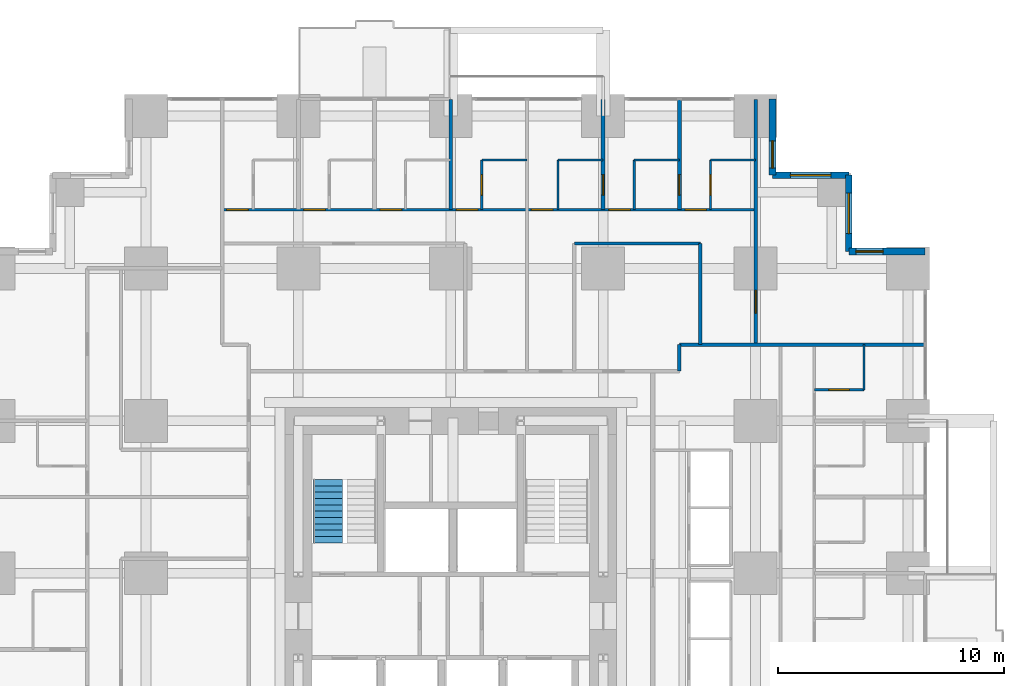
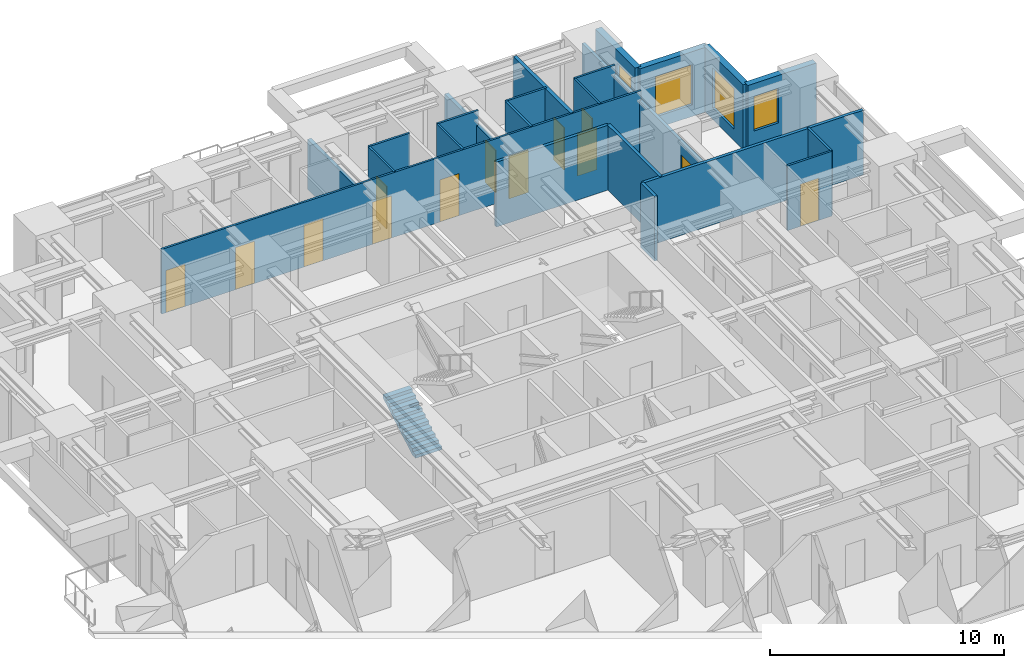
# One storey, part 13 of 15: 23 walls, 13 doors, 4 windows, 1 stair flight, 17 openings, 1 element without a shape of its own.
"""IFC4 building model written with IfcOpenShell, lengths in metres."""

from ifc_helpers import new_model, si_unit, direction, frame, frame_2d, origin, place, context, subcontext, project, spatial, polyline, rectangle, outline, extrude, material, layer, layer_set, type_object, element, fill, aggregate, save


model = new_model("IFC4")

# Units and contexts
model_context = context("Model", 3, precision=1e-05, world=origin(), true_north=direction((0.0, 1.0)))
body_context = subcontext(model_context, "Body", "Model", "MODEL_VIEW")
ifc_project = project(units=[si_unit("LENGTHUNIT", "METRE"), si_unit("AREAUNIT", "SQUARE_METRE"), si_unit("VOLUMEUNIT", "CUBIC_METRE"), si_unit("PLANEANGLEUNIT", "RADIAN"), si_unit("MASSUNIT", "GRAM", prefix="KILO")], contexts=[model_context])

# Site, building, storey
site_placement = place(None, origin())
site = spatial("IfcSite", under=ifc_project, at=site_placement, CompositionType="ELEMENT")
building_placement = place(site_placement, origin())
building = spatial("IfcBuilding", under=site, at=building_placement, Name="Nyansa Garden Tower", CompositionType="ELEMENT")
storey_placement = place(building_placement, frame((0.0, 0.0, 32.39990234375)))
storey = spatial("IfcBuildingStorey", under=building, at=storey_placement, Name="L08", CompositionType="ELEMENT", Elevation=32.39990234375)

# Wall
ifc_material_1 = material(Name="Dense blockwork, plastered both sides, 55 dB", Category="masonry")
ifc_layer_1 = layer(ifc_material_1, 0.175048828125)
ifc_layer_set_1 = layer_set([ifc_layer_1], Name="Acoustic party wall PW175")
wall_type_1 = type_object("IfcWallType", Name="Acoustic party wall PW175", PredefinedType="PARTITIONING", material=ifc_layer_set_1)
wall_1_placement = place(storey_placement, frame((20.25, 36.35009765625, 0.0), z_axis=(0.0, 0.0, 1.0), x_axis=(0.0, 1.0, 0.0)))
element("IfcWall", 1, at=wall_1_placement, inside=storey, type_object=wall_type_1, Name="Party wall", PredefinedType="PARTITIONING", context=body_context, shape_type="SweptSolid", body=[
    extrude(rectangle(XDim=4.8837890625, YDim=0.175048828125, at=frame_2d((2.44189453125, 0.0))), origin(), (0.0, 0.0, 1.0), 2.610107421875),
])

# Wall, opening, door
wall_2_placement = place(storey_placement, frame((27.0, 36.35009765625, 0.0), z_axis=(0.0, 0.0, 1.0), x_axis=(0.0, 1.0, 0.0)))
wall_2 = element("IfcWall", 2, at=wall_2_placement, inside=storey, type_object=wall_type_1, Name="Party wall", PredefinedType="PARTITIONING", context=body_context, shape_type="SweptSolid", body=[
    extrude(rectangle(XDim=4.8837890625, YDim=0.175048828125, at=frame_2d((2.44189453125, 0.0))), origin(), (0.0, 0.0, 1.0), 2.610107421875),
])
opening_1_placement = place(wall_2_placement, frame((0.64990234375, 0.0, 0.0)))
opening_1 = element("IfcOpeningElement", 3, at=opening_1_placement, cuts=wall_2, Name="Opening D02", PredefinedType="OPENING", context=body_context, shape_type="SweptSolid", body=[
    extrude(rectangle(XDim=0.89990234375, YDim=2.199951171875, at=frame_2d((0.449951171875, 1.10009765625))), frame((0.0, 0.097412109375, 0.0), z_axis=(0.0, -1.0, 0.0), x_axis=(1.0, 0.0, 0.0)), (0.0, 0.0, 1.0), 0.195068359375),
])
ifc_material_2 = material(Name="Timber flush door", Category="wood")
door_type_1 = type_object("IfcDoorType", Name="En-suite door D02 900x2200", OperationType="SINGLE_SWING_RIGHT", PredefinedType="DOOR", material=ifc_material_2)
door_1_placement = place(opening_1_placement, origin())
door_1 = element("IfcDoor", 4, at=door_1_placement, inside=storey, type_object=door_type_1, Name="Door L08-055", OperationType="SINGLE_SWING_RIGHT", OverallHeight=2.199951171875, OverallWidth=0.89990234375, PredefinedType="DOOR", context=body_context, shape_type="SweptSolid", body=[
    extrude(rectangle(XDim=0.89990234375, YDim=2.199951171875, at=frame_2d((0.449951171875, 1.10009765625))), frame((0.0, 0.02490234375, 0.0), z_axis=(0.0, -1.0, 0.0), x_axis=(1.0, 0.0, 0.0)), (0.0, 0.0, 1.0), 0.050048828125),
])
fill(opening_1, door_1)

wall_3_placement = place(storey_placement, frame((30.375, 36.35009765625, 0.0), z_axis=(0.0, 0.0, 1.0), x_axis=(0.0, 1.0, 0.0)))
wall_3 = element("IfcWall", 5, at=wall_3_placement, inside=storey, type_object=wall_type_1, Name="Party wall", PredefinedType="PARTITIONING", context=body_context, shape_type="SweptSolid", body=[
    extrude(rectangle(XDim=4.8837890625, YDim=0.175048828125, at=frame_2d((2.44189453125, 0.0))), origin(), (0.0, 0.0, 1.0), 3.375),
])
opening_2_placement = place(wall_3_placement, frame((0.64990234375, 0.0, 0.0)))
opening_2 = element("IfcOpeningElement", 6, at=opening_2_placement, cuts=wall_3, Name="Opening D02", PredefinedType="OPENING", context=body_context, shape_type="SweptSolid", body=[
    extrude(rectangle(XDim=0.89990234375, YDim=2.199951171875, at=frame_2d((0.449951171875, 1.10009765625))), frame((0.0, 0.097412109375, 0.0), z_axis=(0.0, -1.0, 0.0), x_axis=(1.0, 0.0, 0.0)), (0.0, 0.0, 1.0), 0.195068359375),
])
door_2_placement = place(opening_2_placement, origin())
door_2 = element("IfcDoor", 7, at=door_2_placement, inside=storey, type_object=door_type_1, Name="Door L08-053", OperationType="SINGLE_SWING_RIGHT", OverallHeight=2.199951171875, OverallWidth=0.89990234375, PredefinedType="DOOR", context=body_context, shape_type="SweptSolid", body=[
    extrude(rectangle(XDim=0.89990234375, YDim=2.199951171875, at=frame_2d((0.449951171875, 1.10009765625))), frame((0.0, 0.02490234375, 0.0), z_axis=(0.0, -1.0, 0.0), x_axis=(1.0, 0.0, 0.0)), (0.0, 0.0, 1.0), 0.050048828125),
])
fill(opening_2, door_2)

# Walls
ifc_material_3 = material(Name="Blockwork, plastered both sides", Category="masonry")
ifc_layer_2 = layer(ifc_material_3, 0.14990234375)
ifc_layer_set_2 = layer_set([ifc_layer_2], Name="Partition PW150")
wall_type_2 = type_object("IfcWallType", Name="Partition PW150", PredefinedType="PARTITIONING", material=ifc_layer_set_2)
wall_4_placement = place(storey_placement, frame((25.72509765625, 34.85009765625, 0.0), z_axis=(0.0, 0.0, 1.0), x_axis=(1.0, 0.0, 0.0)))
element("IfcWall", 8, at=wall_4_placement, inside=storey, type_object=wall_type_2, Name="Partition", PredefinedType="PARTITIONING", context=body_context, shape_type="SweptSolid", body=[
    extrude(rectangle(XDim=5.574951171875, YDim=0.14990234375, at=frame_2d((2.78759765625, 0.0))), origin(), (0.0, 0.0, 1.0), 3.375),
])
wall_5_placement = place(storey_placement, frame((30.375, 29.199951171875, 0.0), z_axis=(0.0, 0.0, 1.0), x_axis=(0.0, 1.0, 0.0)))
element("IfcWall", 9, at=wall_5_placement, inside=storey, type_object=wall_type_2, Name="Partition", PredefinedType="PARTITIONING", context=body_context, shape_type="SweptSolid", body=[
    extrude(rectangle(XDim=1.175048828125, YDim=0.14990234375, at=frame_2d((0.58740234375, 0.0))), origin(), (0.0, 0.0, 1.0), 3.375),
])
wall_6_placement = place(storey_placement, frame((30.375, 30.375, 0.0), z_axis=(0.0, 0.0, 1.0), x_axis=(1.0, 0.0, 0.0)))
element("IfcWall", 10, at=wall_6_placement, inside=storey, type_object=wall_type_2, Name="Partition", PredefinedType="PARTITIONING", context=body_context, shape_type="SweptSolid", body=[
    extrude(rectangle(XDim=10.85888671875, YDim=0.14990234375, at=frame_2d((5.429443359375, 0.0))), origin(), (0.0, 0.0, 1.0), 3.375),
])
wall_7_placement = place(storey_placement, frame((31.300048828125, 30.375, 0.0), z_axis=(0.0, 0.0, 1.0), x_axis=(0.0, 1.0, 0.0)))
element("IfcWall", 11, at=wall_7_placement, inside=storey, type_object=wall_type_2, Name="Partition", PredefinedType="PARTITIONING", context=body_context, shape_type="SweptSolid", body=[
    extrude(rectangle(XDim=4.47509765625, YDim=0.14990234375, at=frame_2d((2.237548828125, 0.0))), origin(), (0.0, 0.0, 1.0), 3.375),
])

# Wall, opening, door
wall_8_placement = place(storey_placement, frame((33.75, 30.375, 0.0), z_axis=(0.0, 0.0, 1.0), x_axis=(0.0, 1.0, 0.0)))
wall_8 = element("IfcWall", 12, at=wall_8_placement, inside=storey, type_object=wall_type_2, Name="Partition", PredefinedType="PARTITIONING", context=body_context, shape_type="SweptSolid", body=[
    extrude(rectangle(XDim=10.85888671875, YDim=0.14990234375, at=frame_2d((5.429443359375, 0.0))), origin(), (0.0, 0.0, 1.0), 2.877197265625),
])
opening_3_placement = place(wall_8_placement, frame((1.39990234375, 0.0, 0.0)))
opening_3 = element("IfcOpeningElement", 13, at=opening_3_placement, cuts=wall_8, Name="Opening D03", PredefinedType="OPENING", context=body_context, shape_type="SweptSolid", body=[
    extrude(rectangle(XDim=1.0, YDim=2.199951171875, at=frame_2d((0.5, 1.10009765625))), frame((0.0, 0.0849609375, 0.0), z_axis=(0.0, -1.0, 0.0), x_axis=(1.0, 0.0, 0.0)), (0.0, 0.0, 1.0), 0.169921875),
])
ifc_material_4 = material(Name="Timber flush door, 60 minute fire resisting", Category="wood")
door_type_2 = type_object("IfcDoorType", Name="Cluster entrance door D03 1000x2200", OperationType="SINGLE_SWING_LEFT", PredefinedType="DOOR", material=ifc_material_4)
door_3_placement = place(opening_3_placement, origin())
door_3 = element("IfcDoor", 14, at=door_3_placement, inside=storey, type_object=door_type_2, Name="Door L08-049", OperationType="SINGLE_SWING_LEFT", OverallHeight=2.199951171875, OverallWidth=1.0, PredefinedType="DOOR", context=body_context, shape_type="SweptSolid", body=[
    extrude(rectangle(XDim=1.0, YDim=2.199951171875, at=frame_2d((0.5, 1.10009765625))), frame((0.0, 0.02490234375, 0.0), z_axis=(0.0, -1.0, 0.0), x_axis=(1.0, 0.0, 0.0)), (0.0, 0.0, 1.0), 0.050048828125),
])
fill(opening_3, door_3)

# Wall, opening, window
ifc_material_5 = material(Name="Turquoise glazed tile on concrete blockwork", Category="masonry")
ifc_layer_3 = layer(ifc_material_5, 0.300048828125)
ifc_layer_set_3 = layer_set([ifc_layer_3], Name="Tiled corner wall TW300")
wall_type_3 = type_object("IfcWallType", Name="Tiled corner wall TW300", PredefinedType="SOLIDWALL", material=ifc_layer_set_3)
wall_9_placement = place(storey_placement, frame((41.25, 34.5, 0.0), z_axis=(0.0, 0.0, 1.0), x_axis=(-1.0, 0.0, 0.0)))
wall_9 = element("IfcWall", 15, at=wall_9_placement, inside=storey, type_object=wall_type_3, Name="Tiled corner wall L08", PredefinedType="SOLIDWALL", context=body_context, shape_type="SweptSolid", body=[
    extrude(rectangle(XDim=3.375, YDim=0.300048828125, at=frame_2d((1.6875, 0.0))), origin(), (0.0, 0.0, 1.0), 3.375),
])
opening_4_placement = place(wall_9_placement, frame((1.857421875, 0.0, 0.89990234375)))
opening_4 = element("IfcOpeningElement", 16, at=opening_4_placement, cuts=wall_9, Name="Opening W4", PredefinedType="OPENING", context=body_context, shape_type="SweptSolid", body=[
    extrude(rectangle(XDim=1.199951171875, YDim=1.800048828125, at=frame_2d((0.60009765625, 0.89990234375))), frame((0.0, 0.159912109375, 0.0), z_axis=(0.0, -1.0, 0.0), x_axis=(1.0, 0.0, 0.0)), (0.0, 0.0, 1.0), 0.320068359375),
])
ifc_material_6 = material(Name="Black aluminium frame, dark tinted double glazing", Category="aluminium")
window_type_1 = type_object("IfcWindowType", Name="Window W4 1200x1800", PartitioningType="SINGLE_PANEL", PredefinedType="WINDOW", material=ifc_material_6)
window_1_placement = place(opening_4_placement, origin())
window_1 = element("IfcWindow", 17, at=window_1_placement, inside=storey, type_object=window_type_1, Name="Corner window L08", OverallHeight=1.800048828125, OverallWidth=1.199951171875, PartitioningType="SINGLE_PANEL", PredefinedType="WINDOW", context=body_context, shape_type="SweptSolid", body=[
    extrude(rectangle(XDim=1.199951171875, YDim=1.800048828125, at=frame_2d((0.60009765625, 0.89990234375))), frame((0.0, 0.030029296875, 0.0), z_axis=(0.0, -1.0, 0.0), x_axis=(1.0, 0.0, 0.0)), (0.0, 0.0, 1.0), 0.06005859375),
])
fill(opening_4, window_1)

wall_10_placement = place(storey_placement, frame((37.875, 34.5, 0.0), z_axis=(0.0, 0.0, 1.0), x_axis=(0.0, 1.0, 0.0)))
wall_10 = element("IfcWall", 18, at=wall_10_placement, inside=storey, type_object=wall_type_3, Name="Tiled corner wall L08", PredefinedType="SOLIDWALL", context=body_context, shape_type="SweptSolid", body=[
    extrude(rectangle(XDim=3.375, YDim=0.300048828125, at=frame_2d((1.6875, 0.0))), origin(), (0.0, 0.0, 1.0), 3.375),
])
opening_5_placement = place(wall_10_placement, frame((0.78759765625, 0.0, 0.60009765625)))
opening_5 = element("IfcOpeningElement", 19, at=opening_5_placement, cuts=wall_10, Name="Opening W2", PredefinedType="OPENING", context=body_context, shape_type="SweptSolid", body=[
    extrude(rectangle(XDim=1.800048828125, YDim=2.10009765625, at=frame_2d((0.89990234375, 1.050048828125))), frame((0.0, 0.159912109375, 0.0), z_axis=(0.0, -1.0, 0.0), x_axis=(1.0, 0.0, 0.0)), (0.0, 0.0, 1.0), 0.320068359375),
])
ifc_material_7 = material(Name="Black aluminium frame, dark tinted double glazing", Category="aluminium")
window_type_2 = type_object("IfcWindowType", Name="Window W2 1800x2100", PartitioningType="SINGLE_PANEL", PredefinedType="WINDOW", material=ifc_material_7)
window_2_placement = place(opening_5_placement, origin())
window_2 = element("IfcWindow", 20, at=window_2_placement, inside=storey, type_object=window_type_2, Name="Corner window L08", OverallHeight=2.10009765625, OverallWidth=1.800048828125, PartitioningType="SINGLE_PANEL", PredefinedType="WINDOW", context=body_context, shape_type="SweptSolid", body=[
    extrude(rectangle(XDim=1.800048828125, YDim=2.10009765625, at=frame_2d((0.89990234375, 1.050048828125))), frame((0.0, 0.030029296875, 0.0), z_axis=(0.0, -1.0, 0.0), x_axis=(1.0, 0.0, 0.0)), (0.0, 0.0, 1.0), 0.06005859375),
])
fill(opening_5, window_2)

wall_11_placement = place(storey_placement, frame((37.875, 37.875, 0.0), z_axis=(0.0, 0.0, 1.0), x_axis=(-1.0, 0.0, 0.0)))
wall_11 = element("IfcWall", 21, at=wall_11_placement, inside=storey, type_object=wall_type_3, Name="Tiled corner wall L08", PredefinedType="SOLIDWALL", context=body_context, shape_type="SweptSolid", body=[
    extrude(rectangle(XDim=3.375, YDim=0.300048828125, at=frame_2d((1.6875, 0.0))), origin(), (0.0, 0.0, 1.0), 3.375),
])
opening_6_placement = place(wall_11_placement, frame((0.78759765625, 0.0, 0.60009765625)))
opening_6 = element("IfcOpeningElement", 22, at=opening_6_placement, cuts=wall_11, Name="Opening W2", PredefinedType="OPENING", context=body_context, shape_type="SweptSolid", body=[
    extrude(rectangle(XDim=1.800048828125, YDim=2.10009765625, at=frame_2d((0.89990234375, 1.050048828125))), frame((0.0, 0.159912109375, 0.0), z_axis=(0.0, -1.0, 0.0), x_axis=(1.0, 0.0, 0.0)), (0.0, 0.0, 1.0), 0.320068359375),
])
window_3_placement = place(opening_6_placement, origin())
window_3 = element("IfcWindow", 23, at=window_3_placement, inside=storey, type_object=window_type_2, Name="Corner window L08", OverallHeight=2.10009765625, OverallWidth=1.800048828125, PartitioningType="SINGLE_PANEL", PredefinedType="WINDOW", context=body_context, shape_type="SweptSolid", body=[
    extrude(rectangle(XDim=1.800048828125, YDim=2.10009765625, at=frame_2d((0.89990234375, 1.050048828125))), frame((0.0, 0.030029296875, 0.0), z_axis=(0.0, -1.0, 0.0), x_axis=(1.0, 0.0, 0.0)), (0.0, 0.0, 1.0), 0.06005859375),
])
fill(opening_6, window_3)

wall_12_placement = place(storey_placement, frame((34.5, 37.875, 0.0), z_axis=(0.0, 0.0, 1.0), x_axis=(0.0, 1.0, 0.0)))
wall_12 = element("IfcWall", 24, at=wall_12_placement, inside=storey, type_object=wall_type_3, Name="Tiled corner wall L08", PredefinedType="SOLIDWALL", context=body_context, shape_type="SweptSolid", body=[
    extrude(rectangle(XDim=3.375, YDim=0.300048828125, at=frame_2d((1.6875, 0.0))), origin(), (0.0, 0.0, 1.0), 3.375),
])
opening_7_placement = place(wall_12_placement, frame((0.3173828125, 0.0, 0.89990234375)))
opening_7 = element("IfcOpeningElement", 25, at=opening_7_placement, cuts=wall_12, Name="Opening W4", PredefinedType="OPENING", context=body_context, shape_type="SweptSolid", body=[
    extrude(rectangle(XDim=1.199951171875, YDim=1.800048828125, at=frame_2d((0.60009765625, 0.89990234375))), frame((0.0, 0.159912109375, 0.0), z_axis=(0.0, -1.0, 0.0), x_axis=(1.0, 0.0, 0.0)), (0.0, 0.0, 1.0), 0.320068359375),
])
window_4_placement = place(opening_7_placement, origin())
window_4 = element("IfcWindow", 26, at=window_4_placement, inside=storey, type_object=window_type_1, Name="Corner window L08", OverallHeight=1.800048828125, OverallWidth=1.199951171875, PartitioningType="SINGLE_PANEL", PredefinedType="WINDOW", context=body_context, shape_type="SweptSolid", body=[
    extrude(rectangle(XDim=1.199951171875, YDim=1.800048828125, at=frame_2d((0.60009765625, 0.89990234375))), frame((0.0, 0.030029296875, 0.0), z_axis=(0.0, -1.0, 0.0), x_axis=(1.0, 0.0, 0.0)), (0.0, 0.0, 1.0), 0.06005859375),
])
fill(opening_7, window_4)

# Wall, openings, doors
ifc_material_8 = material(Name="Moisture resistant board on steel studs, tiled", Category="steel")
ifc_layer_4 = layer(ifc_material_8, 0.10009765625)
ifc_layer_set_4 = layer_set([ifc_layer_4], Name="Wet wall PW100")
wall_type_4 = type_object("IfcWallType", Name="Wet wall PW100", PredefinedType="PARTITIONING", material=ifc_layer_set_4)
wall_13_placement = place(storey_placement, frame((10.125, 36.35009765625, 0.0), z_axis=(0.0, 0.0, 1.0), x_axis=(1.0, 0.0, 0.0)))
wall_13 = element("IfcWall", 27, at=wall_13_placement, inside=storey, type_object=wall_type_4, Name="Wet wall", PredefinedType="PARTITIONING", context=body_context, shape_type="SweptSolid", body=[
    extrude(rectangle(XDim=23.625, YDim=0.10009765625, at=frame_2d((11.8125, 0.0))), origin(), (0.0, 0.0, 1.0), 3.375),
])
opening_8_placement = place(wall_13_placement, frame((20.5, 0.0, 0.0)))
opening_8 = element("IfcOpeningElement", 28, at=opening_8_placement, cuts=wall_13, Name="Opening D01", PredefinedType="OPENING", context=body_context, shape_type="SweptSolid", body=[
    extrude(rectangle(XDim=0.949951171875, YDim=2.199951171875, at=frame_2d((0.47509765625, 1.10009765625))), frame((0.0, 0.06005859375, 0.0), z_axis=(0.0, -1.0, 0.0), x_axis=(1.0, 0.0, 0.0)), (0.0, 0.0, 1.0), 0.1201171875),
])
opening_9_placement = place(wall_13_placement, frame((17.125, 0.0, 0.0)))
opening_9 = element("IfcOpeningElement", 29, at=opening_9_placement, cuts=wall_13, Name="Opening D01", PredefinedType="OPENING", context=body_context, shape_type="SweptSolid", body=[
    extrude(rectangle(XDim=0.949951171875, YDim=2.199951171875, at=frame_2d((0.47509765625, 1.10009765625))), frame((0.0, 0.06005859375, 0.0), z_axis=(0.0, -1.0, 0.0), x_axis=(1.0, 0.0, 0.0)), (0.0, 0.0, 1.0), 0.1201171875),
])
opening_10_placement = place(wall_13_placement, frame((13.699951171875, 0.0, 0.0)))
opening_10 = element("IfcOpeningElement", 30, at=opening_10_placement, cuts=wall_13, Name="Opening D01", PredefinedType="OPENING", context=body_context, shape_type="SweptSolid", body=[
    extrude(rectangle(XDim=0.949951171875, YDim=2.199951171875, at=frame_2d((0.47509765625, 1.10009765625))), frame((0.0, 0.06005859375, 0.0), z_axis=(0.0, -1.0, 0.0), x_axis=(1.0, 0.0, 0.0)), (0.0, 0.0, 1.0), 0.1201171875),
])
opening_11_placement = place(wall_13_placement, frame((0.199951171875, 0.0, 0.0)))
opening_11 = element("IfcOpeningElement", 31, at=opening_11_placement, cuts=wall_13, Name="Opening D14", PredefinedType="OPENING", context=body_context, shape_type="SweptSolid", body=[
    extrude(rectangle(XDim=0.949951171875, YDim=2.199951171875, at=frame_2d((0.47509765625, 1.10009765625))), frame((0.0, 0.06005859375, 0.0), z_axis=(0.0, -1.0, 0.0), x_axis=(1.0, 0.0, 0.0)), (0.0, 0.0, 1.0), 0.1201171875),
])
opening_12_placement = place(wall_13_placement, frame((3.625, 0.0, 0.0)))
opening_12 = element("IfcOpeningElement", 32, at=opening_12_placement, cuts=wall_13, Name="Opening D14", PredefinedType="OPENING", context=body_context, shape_type="SweptSolid", body=[
    extrude(rectangle(XDim=0.949951171875, YDim=2.199951171875, at=frame_2d((0.47509765625, 1.10009765625))), frame((0.0, 0.06005859375, 0.0), z_axis=(0.0, -1.0, 0.0), x_axis=(1.0, 0.0, 0.0)), (0.0, 0.0, 1.0), 0.1201171875),
])
opening_13_placement = place(wall_13_placement, frame((7.0, 0.0, 0.0)))
opening_13 = element("IfcOpeningElement", 33, at=opening_13_placement, cuts=wall_13, Name="Opening D14", PredefinedType="OPENING", context=body_context, shape_type="SweptSolid", body=[
    extrude(rectangle(XDim=0.949951171875, YDim=2.199951171875, at=frame_2d((0.47509765625, 1.10009765625))), frame((0.0, 0.06005859375, 0.0), z_axis=(0.0, -1.0, 0.0), x_axis=(1.0, 0.0, 0.0)), (0.0, 0.0, 1.0), 0.1201171875),
])
opening_14_placement = place(wall_13_placement, frame((10.375, 0.0, 0.0)))
opening_14 = element("IfcOpeningElement", 34, at=opening_14_placement, cuts=wall_13, Name="Opening D14", PredefinedType="OPENING", context=body_context, shape_type="SweptSolid", body=[
    extrude(rectangle(XDim=0.949951171875, YDim=2.199951171875, at=frame_2d((0.47509765625, 1.10009765625))), frame((0.0, 0.06005859375, 0.0), z_axis=(0.0, -1.0, 0.0), x_axis=(1.0, 0.0, 0.0)), (0.0, 0.0, 1.0), 0.1201171875),
])
ifc_material_9 = material(Name="Timber flush door, 30 minute fire resisting", Category="wood")
door_type_3 = type_object("IfcDoorType", Name="Bedroom door D01 950x2200", OperationType="SINGLE_SWING_LEFT", PredefinedType="DOOR", material=ifc_material_9)
door_4_placement = place(opening_8_placement, origin())
door_4 = element("IfcDoor", 35, at=door_4_placement, inside=storey, type_object=door_type_3, Name="Door L08-050", OperationType="SINGLE_SWING_LEFT", OverallHeight=2.199951171875, OverallWidth=0.949951171875, PredefinedType="DOOR", context=body_context, shape_type="SweptSolid", body=[
    extrude(rectangle(XDim=0.949951171875, YDim=2.199951171875, at=frame_2d((0.47509765625, 1.10009765625))), frame((0.0, 0.02490234375, 0.0), z_axis=(0.0, -1.0, 0.0), x_axis=(1.0, 0.0, 0.0)), (0.0, 0.0, 1.0), 0.050048828125),
])
fill(opening_8, door_4)
door_5_placement = place(opening_9_placement, origin())
door_5 = element("IfcDoor", 36, at=door_5_placement, inside=storey, type_object=door_type_3, Name="Door L08-052", OperationType="SINGLE_SWING_LEFT", OverallHeight=2.199951171875, OverallWidth=0.949951171875, PredefinedType="DOOR", context=body_context, shape_type="SweptSolid", body=[
    extrude(rectangle(XDim=0.949951171875, YDim=2.199951171875, at=frame_2d((0.47509765625, 1.10009765625))), frame((0.0, 0.02490234375, 0.0), z_axis=(0.0, -1.0, 0.0), x_axis=(1.0, 0.0, 0.0)), (0.0, 0.0, 1.0), 0.050048828125),
])
fill(opening_9, door_5)
door_6_placement = place(opening_10_placement, origin())
door_6 = element("IfcDoor", 37, at=door_6_placement, inside=storey, type_object=door_type_3, Name="Door L08-054", OperationType="SINGLE_SWING_LEFT", OverallHeight=2.199951171875, OverallWidth=0.949951171875, PredefinedType="DOOR", context=body_context, shape_type="SweptSolid", body=[
    extrude(rectangle(XDim=0.949951171875, YDim=2.199951171875, at=frame_2d((0.47509765625, 1.10009765625))), frame((0.0, 0.02490234375, 0.0), z_axis=(0.0, -1.0, 0.0), x_axis=(1.0, 0.0, 0.0)), (0.0, 0.0, 1.0), 0.050048828125),
])
fill(opening_10, door_6)
ifc_material_10 = material(Name="Timber flush door, 60 minute fire resisting, self-closing", Category="wood")
door_type_4 = type_object("IfcDoorType", Name="Studio entrance door D14 950x2200", OperationType="SINGLE_SWING_LEFT", PredefinedType="DOOR", material=ifc_material_10)
door_7_placement = place(opening_11_placement, origin())
door_7 = element("IfcDoor", 38, at=door_7_placement, inside=storey, type_object=door_type_4, Name="Door L08-057", OperationType="SINGLE_SWING_LEFT", OverallHeight=2.199951171875, OverallWidth=0.949951171875, PredefinedType="DOOR", context=body_context, shape_type="SweptSolid", body=[
    extrude(rectangle(XDim=0.949951171875, YDim=2.199951171875, at=frame_2d((0.47509765625, 1.10009765625))), frame((0.0, 0.02490234375, 0.0), z_axis=(0.0, -1.0, 0.0), x_axis=(1.0, 0.0, 0.0)), (0.0, 0.0, 1.0), 0.050048828125),
])
fill(opening_11, door_7)
door_8_placement = place(opening_12_placement, origin())
door_8 = element("IfcDoor", 39, at=door_8_placement, inside=storey, type_object=door_type_4, Name="Door L08-059", OperationType="SINGLE_SWING_LEFT", OverallHeight=2.199951171875, OverallWidth=0.949951171875, PredefinedType="DOOR", context=body_context, shape_type="SweptSolid", body=[
    extrude(rectangle(XDim=0.949951171875, YDim=2.199951171875, at=frame_2d((0.47509765625, 1.10009765625))), frame((0.0, 0.02490234375, 0.0), z_axis=(0.0, -1.0, 0.0), x_axis=(1.0, 0.0, 0.0)), (0.0, 0.0, 1.0), 0.050048828125),
])
fill(opening_12, door_8)
door_9_placement = place(opening_13_placement, origin())
door_9 = element("IfcDoor", 40, at=door_9_placement, inside=storey, type_object=door_type_4, Name="Door L08-061", OperationType="SINGLE_SWING_LEFT", OverallHeight=2.199951171875, OverallWidth=0.949951171875, PredefinedType="DOOR", context=body_context, shape_type="SweptSolid", body=[
    extrude(rectangle(XDim=0.949951171875, YDim=2.199951171875, at=frame_2d((0.47509765625, 1.10009765625))), frame((0.0, 0.02490234375, 0.0), z_axis=(0.0, -1.0, 0.0), x_axis=(1.0, 0.0, 0.0)), (0.0, 0.0, 1.0), 0.050048828125),
])
fill(opening_13, door_9)
door_10_placement = place(opening_14_placement, origin())
door_10 = element("IfcDoor", 41, at=door_10_placement, inside=storey, type_object=door_type_4, Name="Door L08-063", OperationType="SINGLE_SWING_LEFT", OverallHeight=2.199951171875, OverallWidth=0.949951171875, PredefinedType="DOOR", context=body_context, shape_type="SweptSolid", body=[
    extrude(rectangle(XDim=0.949951171875, YDim=2.199951171875, at=frame_2d((0.47509765625, 1.10009765625))), frame((0.0, 0.02490234375, 0.0), z_axis=(0.0, -1.0, 0.0), x_axis=(1.0, 0.0, 0.0)), (0.0, 0.0, 1.0), 0.050048828125),
])
fill(opening_14, door_10)

# Wall, opening, door
wall_14_placement = place(storey_placement, frame((21.625, 36.35009765625, 0.0), z_axis=(0.0, 0.0, 1.0), x_axis=(0.0, 1.0, 0.0)))
wall_14 = element("IfcWall", 42, at=wall_14_placement, inside=storey, type_object=wall_type_4, Name="Wet wall", PredefinedType="PARTITIONING", context=body_context, shape_type="SweptSolid", body=[
    extrude(rectangle(XDim=2.199951171875, YDim=0.10009765625, at=frame_2d((1.10009765625, 0.0))), origin(), (0.0, 0.0, 1.0), 3.375),
])
opening_15_placement = place(wall_14_placement, frame((0.64990234375, 0.0, 0.0)))
opening_15 = element("IfcOpeningElement", 43, at=opening_15_placement, cuts=wall_14, Name="Opening D02", PredefinedType="OPENING", context=body_context, shape_type="SweptSolid", body=[
    extrude(rectangle(XDim=0.89990234375, YDim=2.199951171875, at=frame_2d((0.449951171875, 1.10009765625))), frame((0.0, 0.06005859375, 0.0), z_axis=(0.0, -1.0, 0.0), x_axis=(1.0, 0.0, 0.0)), (0.0, 0.0, 1.0), 0.1201171875),
])
door_11_placement = place(opening_15_placement, origin())
door_11 = element("IfcDoor", 44, at=door_11_placement, inside=storey, type_object=door_type_1, Name="Door L08-064", OperationType="SINGLE_SWING_RIGHT", OverallHeight=2.199951171875, OverallWidth=0.89990234375, PredefinedType="DOOR", context=body_context, shape_type="SweptSolid", body=[
    extrude(rectangle(XDim=0.89990234375, YDim=2.199951171875, at=frame_2d((0.449951171875, 1.10009765625))), frame((0.0, 0.02490234375, 0.0), z_axis=(0.0, -1.0, 0.0), x_axis=(1.0, 0.0, 0.0)), (0.0, 0.0, 1.0), 0.050048828125),
])
fill(opening_15, door_11)

# Walls
wall_15_placement = place(storey_placement, frame((21.625, 38.550048828125, 0.0), z_axis=(0.0, 0.0, 1.0), x_axis=(1.0, 0.0, 0.0)))
element("IfcWall", 45, at=wall_15_placement, inside=storey, type_object=wall_type_4, Name="Wet wall", PredefinedType="PARTITIONING", context=body_context, shape_type="SweptSolid", body=[
    extrude(rectangle(XDim=2.0, YDim=0.10009765625, at=frame_2d((1.0, 0.0))), origin(), (0.0, 0.0, 1.0), 3.375),
])
wall_16_placement = place(storey_placement, frame((25.0, 36.35009765625, 0.0), z_axis=(0.0, 0.0, 1.0), x_axis=(0.0, 1.0, 0.0)))
element("IfcWall", 46, at=wall_16_placement, inside=storey, type_object=wall_type_4, Name="Wet wall", PredefinedType="PARTITIONING", context=body_context, shape_type="SweptSolid", body=[
    extrude(rectangle(XDim=2.199951171875, YDim=0.10009765625, at=frame_2d((1.10009765625, 0.0))), origin(), (0.0, 0.0, 1.0), 3.375),
])
wall_17_placement = place(storey_placement, frame((25.0, 38.550048828125, 0.0), z_axis=(0.0, 0.0, 1.0), x_axis=(1.0, 0.0, 0.0)))
element("IfcWall", 47, at=wall_17_placement, inside=storey, type_object=wall_type_4, Name="Wet wall", PredefinedType="PARTITIONING", context=body_context, shape_type="SweptSolid", body=[
    extrude(rectangle(XDim=2.0, YDim=0.10009765625, at=frame_2d((1.0, 0.0))), origin(), (0.0, 0.0, 1.0), 3.375),
])
wall_18_placement = place(storey_placement, frame((28.375, 36.35009765625, 0.0), z_axis=(0.0, 0.0, 1.0), x_axis=(0.0, 1.0, 0.0)))
element("IfcWall", 48, at=wall_18_placement, inside=storey, type_object=wall_type_4, Name="Wet wall", PredefinedType="PARTITIONING", context=body_context, shape_type="SweptSolid", body=[
    extrude(rectangle(XDim=2.199951171875, YDim=0.10009765625, at=frame_2d((1.10009765625, 0.0))), origin(), (0.0, 0.0, 1.0), 3.375),
])
wall_19_placement = place(storey_placement, frame((28.375, 38.550048828125, 0.0), z_axis=(0.0, 0.0, 1.0), x_axis=(1.0, 0.0, 0.0)))
element("IfcWall", 49, at=wall_19_placement, inside=storey, type_object=wall_type_4, Name="Wet wall", PredefinedType="PARTITIONING", context=body_context, shape_type="SweptSolid", body=[
    extrude(rectangle(XDim=2.0, YDim=0.10009765625, at=frame_2d((1.0, 0.0))), origin(), (0.0, 0.0, 1.0), 3.375),
])

# Wall, opening, door
wall_20_placement = place(storey_placement, frame((31.75, 36.35009765625, 0.0), z_axis=(0.0, 0.0, 1.0), x_axis=(0.0, 1.0, 0.0)))
wall_20 = element("IfcWall", 50, at=wall_20_placement, inside=storey, type_object=wall_type_4, Name="Wet wall", PredefinedType="PARTITIONING", context=body_context, shape_type="SweptSolid", body=[
    extrude(rectangle(XDim=2.199951171875, YDim=0.10009765625, at=frame_2d((1.10009765625, 0.0))), origin(), (0.0, 0.0, 1.0), 3.375),
])
opening_16_placement = place(wall_20_placement, frame((0.64990234375, 0.0, 0.0)))
opening_16 = element("IfcOpeningElement", 51, at=opening_16_placement, cuts=wall_20, Name="Opening D02", PredefinedType="OPENING", context=body_context, shape_type="SweptSolid", body=[
    extrude(rectangle(XDim=0.89990234375, YDim=2.199951171875, at=frame_2d((0.449951171875, 1.10009765625))), frame((0.0, 0.06005859375, 0.0), z_axis=(0.0, -1.0, 0.0), x_axis=(1.0, 0.0, 0.0)), (0.0, 0.0, 1.0), 0.1201171875),
])
door_12_placement = place(opening_16_placement, origin())
door_12 = element("IfcDoor", 52, at=door_12_placement, inside=storey, type_object=door_type_1, Name="Door L08-051", OperationType="SINGLE_SWING_RIGHT", OverallHeight=2.199951171875, OverallWidth=0.89990234375, PredefinedType="DOOR", context=body_context, shape_type="SweptSolid", body=[
    extrude(rectangle(XDim=0.89990234375, YDim=2.199951171875, at=frame_2d((0.449951171875, 1.10009765625))), frame((0.0, 0.02490234375, 0.0), z_axis=(0.0, -1.0, 0.0), x_axis=(1.0, 0.0, 0.0)), (0.0, 0.0, 1.0), 0.050048828125),
])
fill(opening_16, door_12)

# Wall
wall_21_placement = place(storey_placement, frame((31.75, 38.550048828125, 0.0), z_axis=(0.0, 0.0, 1.0), x_axis=(1.0, 0.0, 0.0)))
element("IfcWall", 53, at=wall_21_placement, inside=storey, type_object=wall_type_4, Name="Wet wall", PredefinedType="PARTITIONING", context=body_context, shape_type="SweptSolid", body=[
    extrude(rectangle(XDim=2.0, YDim=0.10009765625, at=frame_2d((1.0, 0.0))), origin(), (0.0, 0.0, 1.0), 3.375),
])

# Wall, opening, door
wall_22_placement = place(storey_placement, frame((36.35009765625, 28.375, 0.0), z_axis=(0.0, 0.0, 1.0), x_axis=(1.0, 0.0, 0.0)))
wall_22 = element("IfcWall", 54, at=wall_22_placement, inside=storey, type_object=wall_type_4, Name="Wet wall", PredefinedType="PARTITIONING", context=body_context, shape_type="SweptSolid", body=[
    extrude(rectangle(XDim=2.199951171875, YDim=0.10009765625, at=frame_2d((1.10009765625, 0.0))), origin(), (0.0, 0.0, 1.0), 3.375),
])
opening_17_placement = place(wall_22_placement, frame((0.64990234375, 0.0, 0.0)))
opening_17 = element("IfcOpeningElement", 55, at=opening_17_placement, cuts=wall_22, Name="Opening D02", PredefinedType="OPENING", context=body_context, shape_type="SweptSolid", body=[
    extrude(rectangle(XDim=0.89990234375, YDim=2.199951171875, at=frame_2d((0.449951171875, 1.10009765625))), frame((0.0, 0.06005859375, 0.0), z_axis=(0.0, -1.0, 0.0), x_axis=(1.0, 0.0, 0.0)), (0.0, 0.0, 1.0), 0.1201171875),
])
door_13_placement = place(opening_17_placement, origin())
door_13 = element("IfcDoor", 56, at=door_13_placement, inside=storey, type_object=door_type_1, Name="Door L08-046", OperationType="SINGLE_SWING_RIGHT", OverallHeight=2.199951171875, OverallWidth=0.89990234375, PredefinedType="DOOR", context=body_context, shape_type="SweptSolid", body=[
    extrude(rectangle(XDim=0.89990234375, YDim=2.199951171875, at=frame_2d((0.449951171875, 1.10009765625))), frame((0.0, 0.02490234375, 0.0), z_axis=(0.0, -1.0, 0.0), x_axis=(1.0, 0.0, 0.0)), (0.0, 0.0, 1.0), 0.050048828125),
])
fill(opening_17, door_13)

# Wall
wall_23_placement = place(storey_placement, frame((38.550048828125, 28.375, 0.0), z_axis=(0.0, 0.0, 1.0), x_axis=(0.0, 1.0, 0.0)))
element("IfcWall", 57, at=wall_23_placement, inside=storey, type_object=wall_type_4, Name="Wet wall", PredefinedType="PARTITIONING", context=body_context, shape_type="SweptSolid", body=[
    extrude(rectangle(XDim=2.0, YDim=0.10009765625, at=frame_2d((1.0, 0.0))), origin(), (0.0, 0.0, 1.0), 3.375),
])

# Stair, stair flight
ifc_material_11 = material(Name="Precast concrete C40/50", Category="concrete")
stair_type = type_object("IfcStairType", Name="Stair S1 164x280", PredefinedType="HALF_TURN_STAIR", material=ifc_material_11)
stair_placement = place(storey_placement, origin())
stair = element("IfcStair", 58, at=stair_placement, inside=storey, type_object=stair_type, Name="Stair S1 L08", PredefinedType="HALF_TURN_STAIR")
ifc_material_12 = material(Name="Precast concrete C40/50", Category="concrete")
stair_flight_type = type_object("IfcStairFlightType", Name="Stair flight S1 164x280x11", PredefinedType="STRAIGHT", material=ifc_material_12)
stair_flight_placement = place(storey_placement, frame((14.800048828125, 21.60009765625, 0.0), z_axis=(0.0, 0.0, 1.0), x_axis=(0.0, 1.0, 0.0)))
stair_flight = element("IfcStairFlight", 59, at=stair_flight_placement, type_object=stair_flight_type, Name="S1 flight 1", NumberOfRisers=11, NumberOfTreads=10, PredefinedType="STRAIGHT", RiserHeight=0.163636364, TreadLength=0.28, context=body_context, shape_type="SweptSolid", body=[
    extrude(outline(polyline([(0.0, 0.0), (0.0, 0.16357421875), (0.280029296875, 0.16357421875), (0.280029296875, 0.327392578125), (0.56005859375, 0.327392578125), (0.56005859375, 0.490966796875), (0.840087890625, 0.490966796875), (0.840087890625, 0.654541015625), (1.1201171875, 0.654541015625), (1.1201171875, 0.818115234375), (1.39990234375, 0.818115234375), (1.39990234375, 0.98193359375), (1.679931640625, 0.98193359375), (1.679931640625, 1.1455078125), (1.9599609375, 1.1455078125), (1.9599609375, 1.30908203125), (2.239990234375, 1.30908203125), (2.239990234375, 1.47265625), (2.52001953125, 1.47265625), (2.52001953125, 1.636474609375), (2.800048828125, 1.636474609375), (2.800048828125, 1.800048828125), (2.800048828125, 1.462646484375), (0.297119140625, 0.0), (0.0, 0.0)])), frame((0.0, 0.64990234375, 0.0), z_axis=(0.0, -1.0, 0.0), x_axis=(1.0, 0.0, 0.0)), (0.0, 0.0, 1.0), 1.300048828125),
])
aggregate(stair, [stair_flight])

save(model, "model.ifc")
